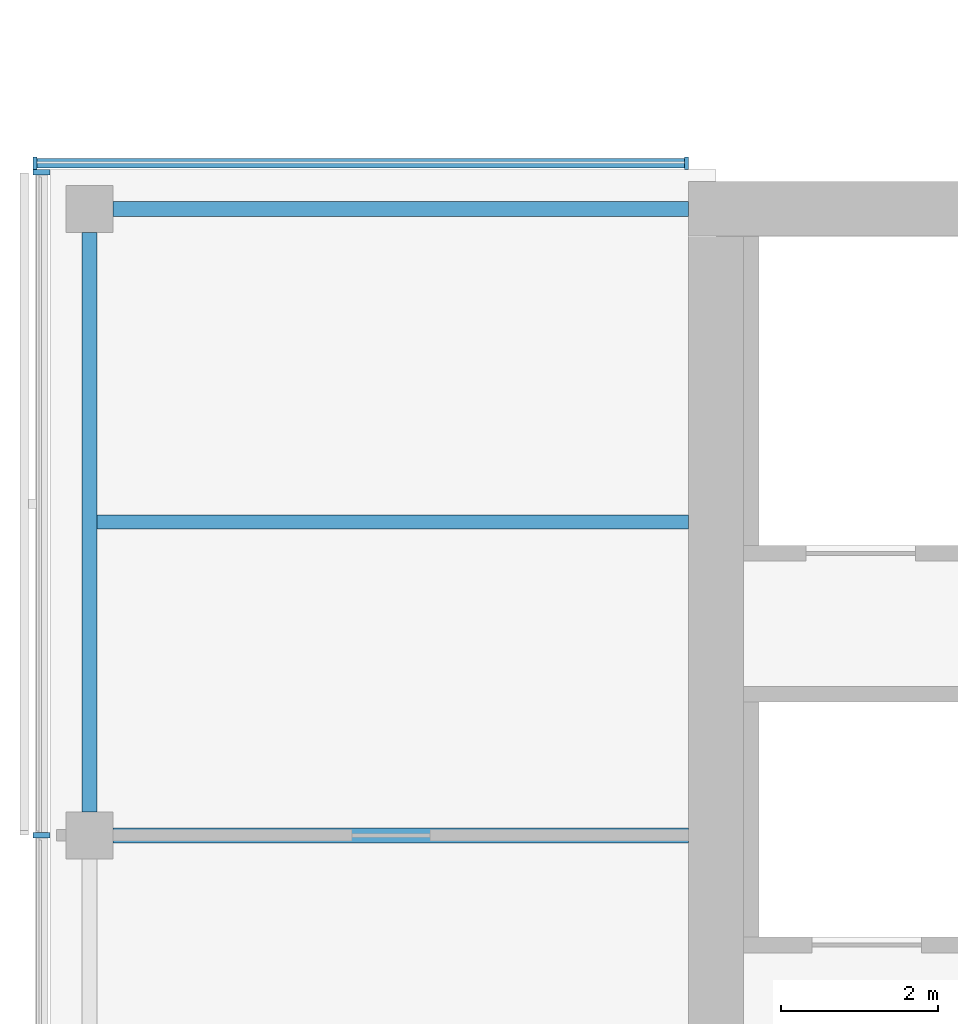
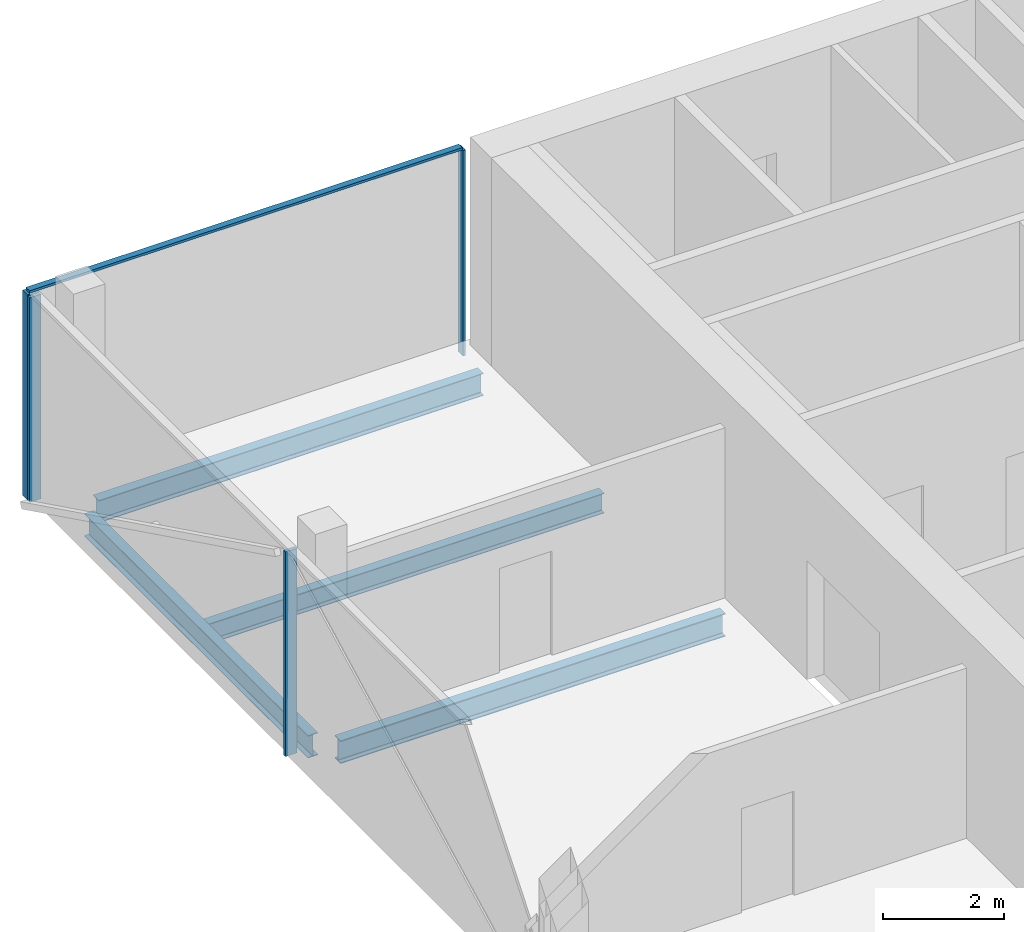
# One storey, part 7 of 22: 5 members, 4 beams, 2 elements without a shape of their own.
"""IFC4 building model written with IfcOpenShell, lengths in metres."""

from ifc_helpers import new_model, si_unit, direction, frame, origin, origin_2d, place, context, subcontext, project, spatial, rectangle, i_section, extrude, material, material_profile, profile_set, type_object, element, aggregate, save


model = new_model("IFC4")

# Units and contexts
model_context = context("Model", 3, precision=1e-05, world=origin(), true_north=direction((0.0, 1.0)))
body_context = subcontext(model_context, "Body", "Model", "MODEL_VIEW")
ifc_project = project(units=[si_unit("LENGTHUNIT", "METRE"), si_unit("AREAUNIT", "SQUARE_METRE"), si_unit("VOLUMEUNIT", "CUBIC_METRE"), si_unit("PLANEANGLEUNIT", "RADIAN"), si_unit("MASSUNIT", "GRAM", prefix="KILO")], contexts=[model_context])

# Site, building, storey
site_placement = place(None, origin())
site = spatial("IfcSite", under=ifc_project, at=site_placement, CompositionType="ELEMENT")
building_placement = place(site_placement, origin())
building = spatial("IfcBuilding", under=site, at=building_placement, Name="Crosswind Convention Tower", CompositionType="ELEMENT")
storey_placement = place(building_placement, frame((0.0, 0.0, 154.699951171875)))
storey = spatial("IfcBuildingStorey", under=building, at=storey_placement, Name="L32", CompositionType="ELEMENT", Elevation=154.699951171875)

# Beams
ifc_material_1 = material(Name="Steel S355", Category="steel")
ifc_material_profile_1 = material_profile(ifc_material_1, i_section(OverallWidth=0.18994140625, OverallDepth=0.45361328125, WebThickness=0.008544921875, FlangeThickness=0.0126953125, FilletRadius=0.01025390625, at=origin_2d()), Name="UB 457x191x67")
ifc_profile_set_1 = profile_set([ifc_material_profile_1], Name="Steel S355")
beam_type_1 = type_object("IfcBeamType", Name="Edge beam UB 457x191x67", PredefinedType="SPANDREL", material=ifc_profile_set_1)
beam_1_placement = place(storey_placement, frame((89.0, 104.300048828125, -0.52685546875), z_axis=(0.0, 1.0, 0.0), x_axis=(-1.0, 0.0, 0.0)))
element("IfcBeam", 1, at=beam_1_placement, inside=storey, type_object=beam_type_1, Name="B16 L32 edge beam 3", PredefinedType="SPANDREL", context=body_context, shape_type="SweptSolid", body=[
    extrude(i_section(OverallWidth=0.18994140625, OverallDepth=0.45361328125, WebThickness=0.008544921875, FlangeThickness=0.0126953125, FilletRadius=0.01025390625, at=origin_2d()), origin(), (0.0, 0.0, 1.0), 7.39990234375),
])
beam_2_placement = place(storey_placement, frame((89.300048828125, 112.0, -0.52685546875), z_axis=(1.0, 0.0, 0.0), x_axis=(0.0, 1.0, 0.0)))
element("IfcBeam", 2, at=beam_2_placement, inside=storey, type_object=beam_type_1, Name="B16 L32 edge beam 5", PredefinedType="SPANDREL", context=body_context, shape_type="SweptSolid", body=[
    extrude(i_section(OverallWidth=0.18994140625, OverallDepth=0.45361328125, WebThickness=0.008544921875, FlangeThickness=0.0126953125, FilletRadius=0.01025390625, at=origin_2d()), origin(), (0.0, 0.0, 1.0), 7.349853515625),
])
ifc_material_profile_2 = material_profile(ifc_material_1, i_section(OverallWidth=0.19189453125, OverallDepth=0.463623046875, WebThickness=0.010498046875, FlangeThickness=0.017578125, FilletRadius=0.01025390625, at=origin_2d()), Name="UB 457x191x90")
ifc_profile_set_2 = profile_set([ifc_material_profile_2], Name="Steel S355")
beam_type_2 = type_object("IfcBeamType", Name="Girder at core wall UB 457x191x90", PredefinedType="BEAM", material=ifc_profile_set_2)
beam_3_placement = place(storey_placement, frame((89.300048828125, 104.0, -0.53173828125), z_axis=(1.0, 0.0, 0.0), x_axis=(0.0, 1.0, 0.0)))
element("IfcBeam", 3, at=beam_3_placement, inside=storey, type_object=beam_type_2, Name="B24 L32 girder at core wall 2", PredefinedType="BEAM", context=body_context, shape_type="SweptSolid", body=[
    extrude(i_section(OverallWidth=0.19189453125, OverallDepth=0.463623046875, WebThickness=0.010498046875, FlangeThickness=0.017578125, FilletRadius=0.01025390625, at=origin_2d()), origin(), (0.0, 0.0, 1.0), 7.349853515625),
])

# Curtain wall, members
ifc_material_2 = material(Name="Aluminium unitised curtain wall", Category="aluminium")
curtain_wall_type_1 = type_object("IfcCurtainWallType", Name="CORE END SLOT WALL 160", PredefinedType="USERDEFINED", material=ifc_material_2)
curtain_wall_1_placement = place(storey_placement, origin())
curtain_wall_1 = element("IfcCurtainWall", 4, at=curtain_wall_1_placement, inside=storey, type_object=curtain_wall_type_1, Name="CW6 L32 W-N.2-1 slot", ObjectType="UNITISED", PredefinedType="USERDEFINED")
ifc_material_3 = material(Name="Aluminium mullion", Category="aluminium")
ifc_material_profile_3 = material_profile(ifc_material_3, rectangle(XDim=0.159912109375, YDim=0.050048828125, at=origin_2d()), Name="AL 160X50")
ifc_profile_set_3 = profile_set([ifc_material_profile_3], Name="Aluminium mullion")
member_type_1 = type_object("IfcMemberType", Name="MULLION 50X160", PredefinedType="MULLION", material=ifc_profile_set_3)
member_1_placement = place(storey_placement, frame((96.625, 112.580078125, -0.300048828125), z_axis=(0.0, 0.0, 1.0), x_axis=(0.0, 1.0, 0.0)))
member_1 = element("IfcMember", 5, at=member_1_placement, type_object=member_type_1, Name="CW6 mullion 1", PredefinedType="MULLION", context=body_context, shape_type="SweptSolid", body=[
    extrude(rectangle(XDim=0.159912109375, YDim=0.050048828125, at=origin_2d()), origin(), (0.0, 0.0, 1.0), 4.150146484375),
])
member_2_placement = place(storey_placement, frame((88.304931640625, 112.580078125, -0.300048828125), z_axis=(0.0, 0.0, 1.0), x_axis=(0.0, 1.0, 0.0)))
member_2 = element("IfcMember", 6, at=member_2_placement, type_object=member_type_1, Name="CW6 mullion 2", PredefinedType="MULLION", context=body_context, shape_type="SweptSolid", body=[
    extrude(rectangle(XDim=0.159912109375, YDim=0.050048828125, at=origin_2d()), origin(), (0.0, 0.0, 1.0), 4.150146484375),
])

curtain_wall_type_2 = type_object("IfcCurtainWallType", Name="OFFICE UNITISED WALL 220", PredefinedType="USERDEFINED", material=ifc_material_2)
curtain_wall_2_placement = place(storey_placement, origin())
curtain_wall_2 = element("IfcCurtainWall", 7, at=curtain_wall_2_placement, inside=storey, type_object=curtain_wall_type_2, Name="CW3 L32 W-TIP 1", ObjectType="UNITISED", PredefinedType="USERDEFINED")
ifc_material_profile_4 = material_profile(ifc_material_3, rectangle(XDim=0.219970703125, YDim=0.070068359375, at=origin_2d()), Name="AL 220X70")
ifc_profile_set_4 = profile_set([ifc_material_profile_4], Name="Aluminium mullion")
member_type_2 = type_object("IfcMemberType", Name="MULLION 70X220", PredefinedType="MULLION", material=ifc_profile_set_4)
member_3_placement = place(storey_placement, frame((88.389892578125, 112.465087890625, -0.300048828125), z_axis=(0.0, 0.0, 1.0), x_axis=(-1.0, 0.0, 0.0)))
member_3 = element("IfcMember", 8, at=member_3_placement, type_object=member_type_2, Name="CW3 mullion 1", PredefinedType="MULLION", context=body_context, shape_type="SweptSolid", body=[
    extrude(rectangle(XDim=0.219970703125, YDim=0.070068359375, at=origin_2d()), origin(), (0.0, 0.0, 1.0), 4.130126953125),
])
member_4_placement = place(storey_placement, frame((88.389892578125, 104.0, -0.300048828125), z_axis=(0.0, 0.0, 1.0), x_axis=(-1.0, 0.0, 0.0)))
member_4 = element("IfcMember", 9, at=member_4_placement, type_object=member_type_2, Name="CW3 mullion 2", PredefinedType="MULLION", context=body_context, shape_type="SweptSolid", body=[
    extrude(rectangle(XDim=0.219970703125, YDim=0.070068359375, at=origin_2d()), origin(), (0.0, 0.0, 1.0), 4.130126953125),
])
aggregate(curtain_wall_2, [member_3, member_4])

# Beam
ifc_material_profile_5 = material_profile(ifc_material_1, i_section(OverallWidth=0.177734375, OverallDepth=0.406494140625, WebThickness=0.0078125, FlangeThickness=0.0126953125, FilletRadius=0.01025390625, at=origin_2d()), Name="UB 406x178x60")
ifc_profile_set_5 = profile_set([ifc_material_profile_5], Name="Steel S355")
beam_type_3 = type_object("IfcBeamType", Name="Secondary beam UB 406x178x60", PredefinedType="JOIST", material=ifc_profile_set_5)
beam_4_placement = place(storey_placement, frame((89.094970703125, 108.0, -0.503173828125), z_axis=(1.0, 0.0, 0.0), x_axis=(0.0, 1.0, 0.0)))
element("IfcBeam", 10, at=beam_4_placement, inside=storey, type_object=beam_type_3, Name="B10 L32 secondary beam 3", PredefinedType="JOIST", context=body_context, shape_type="SweptSolid", body=[
    extrude(i_section(OverallWidth=0.177734375, OverallDepth=0.406494140625, WebThickness=0.0078125, FlangeThickness=0.0126953125, FilletRadius=0.01025390625, at=origin_2d()), origin(), (0.0, 0.0, 1.0), 7.554931640625),
])

# Member
ifc_material_4 = material(Name="Aluminium transom", Category="aluminium")
ifc_material_profile_6 = material_profile(ifc_material_4, rectangle(XDim=0.1201171875, YDim=0.050048828125, at=origin_2d()), Name="AL 120X50")
ifc_profile_set_6 = profile_set([ifc_material_profile_6], Name="Aluminium transom")
member_type_3 = type_object("IfcMemberType", Name="TRANSOM 50X120", PredefinedType="USERDEFINED", material=ifc_profile_set_6)
member_5_placement = place(storey_placement, frame((96.60009765625, 112.580078125, 3.875), z_axis=(-1.0, 0.0, 0.0), x_axis=(0.0, -1.0, 0.0)))
member_5 = element("IfcMember", 11, at=member_5_placement, type_object=member_type_3, Name="CW6 transom", ObjectType="TRANSOM", PredefinedType="USERDEFINED", context=body_context, shape_type="SweptSolid", body=[
    extrude(rectangle(XDim=0.1201171875, YDim=0.050048828125, at=origin_2d()), origin(), (0.0, 0.0, 1.0), 8.27001953125),
])

aggregate(curtain_wall_1, [member_1, member_2, member_5])

save(model, "model.ifc")
